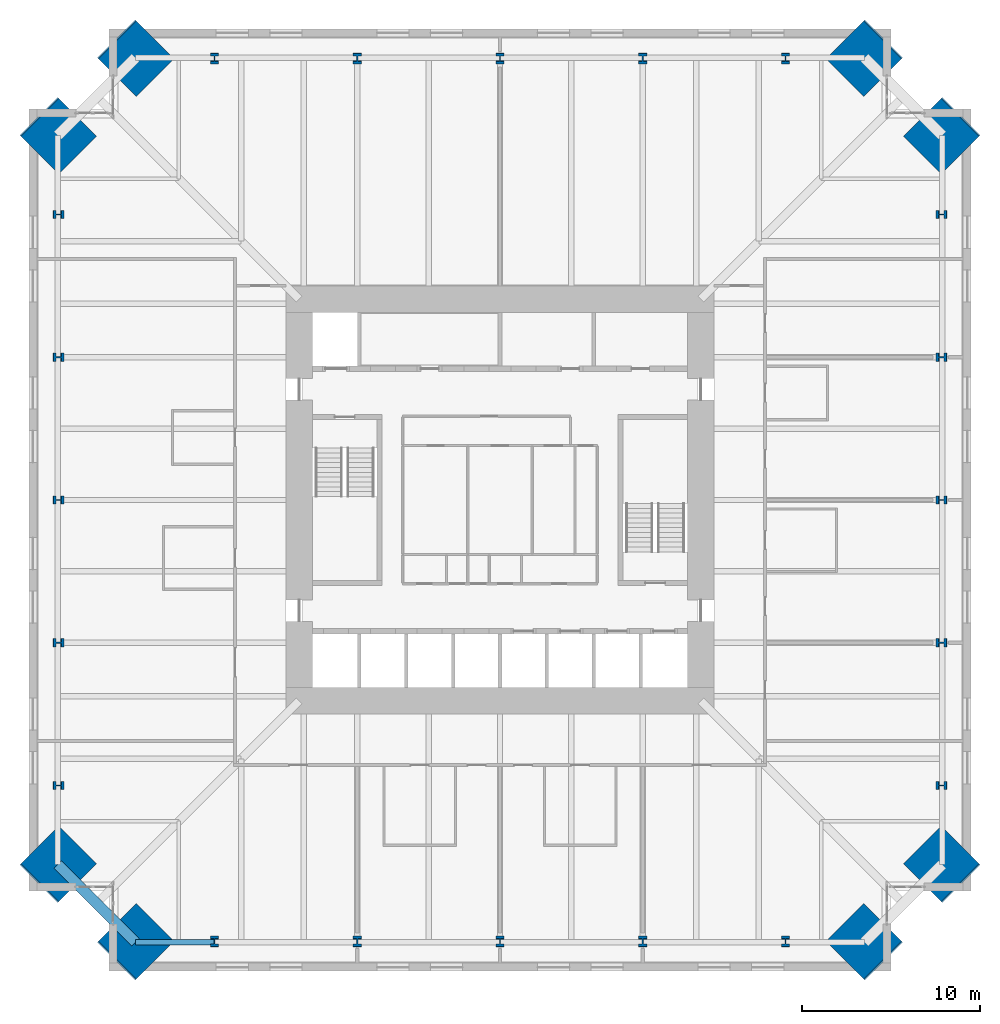
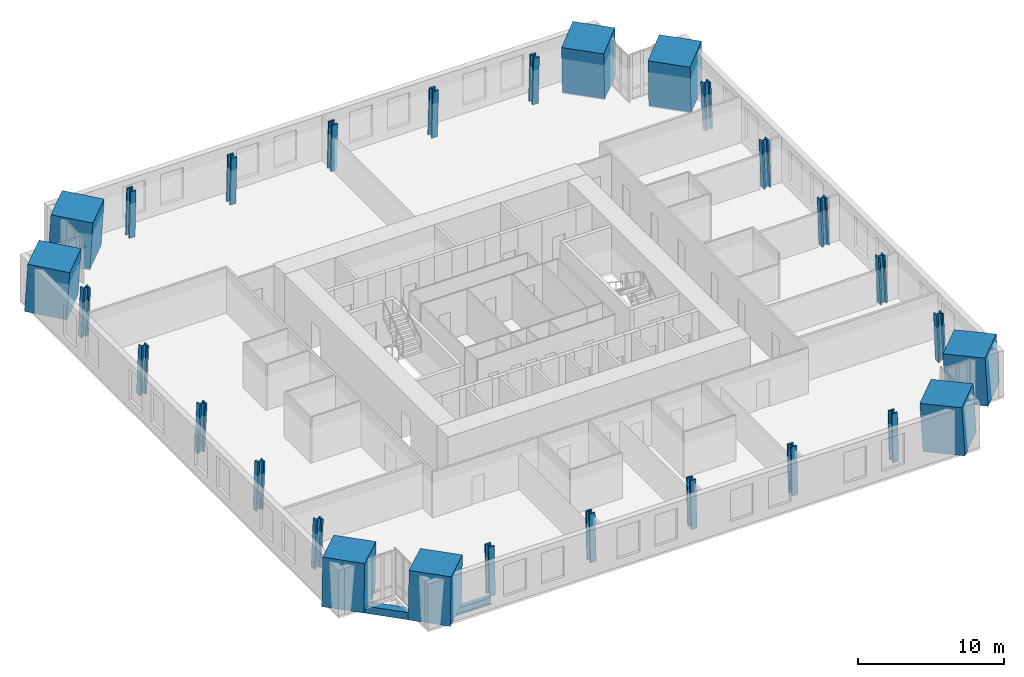
# One storey, part 1 of 18: 28 columns, 2 beams.
"""IFC4 building model written with IfcOpenShell, lengths in metres."""

from ifc_helpers import new_model, si_unit, direction, frame, origin, origin_2d, place, context, subcontext, project, spatial, rectangle, hollow_rectangle, i_section, extrude, material, material_profile, profile_set, type_object, element, save


model = new_model("IFC4")

# Units and contexts
model_context = context("Model", 3, precision=1e-05, world=origin(), true_north=direction((0.0, 1.0)))
body_context = subcontext(model_context, "Body", "Model", "MODEL_VIEW")
ifc_project = project(units=[si_unit("LENGTHUNIT", "METRE"), si_unit("AREAUNIT", "SQUARE_METRE"), si_unit("VOLUMEUNIT", "CUBIC_METRE"), si_unit("PLANEANGLEUNIT", "RADIAN"), si_unit("MASSUNIT", "GRAM", prefix="KILO")], contexts=[model_context])

# Site, building, storey
site_placement = place(None, origin())
site = spatial("IfcSite", under=ifc_project, at=site_placement, CompositionType="ELEMENT")
building_placement = place(site_placement, origin())
building = spatial("IfcBuilding", under=site, at=building_placement, Name="Peilmerk Tower", CompositionType="ELEMENT")
storey_placement = place(building_placement, frame((0.0, 0.0, 151.800048828125)))
storey = spatial("IfcBuildingStorey", under=building, at=storey_placement, Name="L31", CompositionType="ELEMENT", Elevation=151.800048828125)

# Columns
ifc_material_1 = material(Name="Concrete C90/105", Category="concrete")
ifc_material_profile_1 = material_profile(ifc_material_1, rectangle(XDim=3.0, YDim=3.0, at=origin_2d()), Name="RC 3000x3000")
ifc_profile_set_1 = profile_set([ifc_material_profile_1], Name="Concrete C90/105")
column_type_1 = type_object("IfcColumnType", Name="MC2 3000x3000 encased mega column", PredefinedType="COLUMN", material=ifc_profile_set_1)
for number, where, z_axis, x_axis, name in (
    (1, (20.42578125, 24.77587890625, 0.0), (-0.040278731567, -0.040278731567, 0.998376305592), (0.707106781187, -0.707106781187, 0.0), "Mega column MC2 NE_N L31"),
    (2, (24.77587890625, 20.42578125, 0.0), (-0.040278731567, -0.040278731567, 0.998376305592), (0.707106781187, -0.707106781187, 0.0), "Mega column MC2 NE_E L31"),
    (3, (24.77587890625, -20.42578125, 0.0), (-0.040278731567, 0.040278731567, 0.998376305592), (-0.707106781187, -0.707106781187, 0.0), "Mega column MC2 SE_E L31"),
    (4, (20.42578125, -24.77587890625, 0.0), (-0.040278731567, 0.040278731567, 0.998376305592), (-0.707106781187, -0.707106781187, 0.0), "Mega column MC2 SE_S L31"),
    (5, (-20.42578125, -24.77587890625, 0.0), (0.040278731567, 0.040278731567, 0.998376305592), (-0.707106781187, 0.707106781187, 0.0), "Mega column MC2 SW_S L31"),
    (6, (-24.77587890625, -20.42578125, 0.0), (0.040278731567, 0.040278731567, 0.998376305592), (-0.707106781187, 0.707106781187, 0.0), "Mega column MC2 SW_W L31"),
    (7, (-24.77587890625, 20.42578125, 0.0), (0.040278731567, -0.040278731567, 0.998376305592), (0.707106781187, 0.707106781187, 0.0), "Mega column MC2 NW_W L31"),
    (8, (-20.42578125, 24.77587890625, 0.0), (0.040278731567, -0.040278731567, 0.998376305592), (0.707106781187, 0.707106781187, 0.0), "Mega column MC2 NW_N L31"),
):
    element("IfcColumn", number, at=place(storey_placement, frame(where, z_axis=z_axis, x_axis=x_axis)), inside=storey, type_object=column_type_1, Name=name, PredefinedType="COLUMN", context=body_context, shape_type="SweptSolid", body=[
        extrude(rectangle(XDim=3.0, YDim=3.0, at=origin_2d()), origin(), (0.0, 0.0, 1.0), 4.006591796875),
    ])
ifc_material_2 = material(Name="Steel S460", Category="steel")
ifc_material_profile_2 = material_profile(ifc_material_2, i_section(OverallWidth=0.4541015625, OverallDepth=0.569091796875, WebThickness=0.077880859375, FlangeThickness=0.125, at=origin_2d()), Name="HD 400x1086")
ifc_profile_set_2 = profile_set([ifc_material_profile_2], Name="Steel S460")
column_type_2 = type_object("IfcColumnType", Name="SC6 HD 400x1086 interior column", PredefinedType="COLUMN", material=ifc_profile_set_2)
for number, where, z_axis, x_axis, name in (
    (9, (0.0, 24.77587890625, 0.0), (0.0, -0.040311445006, 0.999187163349), (1.0, 0.0, 0.0), "Perimeter column N+0 L31"),
    (10, (8.0, 24.77587890625, 0.0), (0.0, -0.040311445006, 0.999187163349), (1.0, 0.0, 0.0), "Perimeter column N-8 L31"),
    (11, (-8.0, 24.77587890625, 0.0), (0.0, -0.040311445006, 0.999187163349), (1.0, 0.0, 0.0), "Perimeter column N+8 L31"),
    (12, (16.0, 24.77587890625, 0.0), (0.0, -0.040311445006, 0.999187163349), (1.0, 0.0, 0.0), "Perimeter column N-16 L31"),
    (13, (-16.0, 24.77587890625, 0.0), (0.0, -0.040311445006, 0.999187163349), (1.0, 0.0, 0.0), "Perimeter column N+16 L31"),
    (14, (24.77587890625, 0.0, 0.0), (-0.040311445006, 0.0, 0.999187163349), (0.0, -1.0, 0.0), "Perimeter column E+0 L31"),
    (15, (24.77587890625, -8.0, 0.0), (-0.040311445006, 0.0, 0.999187163349), (0.0, -1.0, 0.0), "Perimeter column E-8 L31"),
    (16, (24.77587890625, 8.0, 0.0), (-0.040311445006, 0.0, 0.999187163349), (0.0, -1.0, 0.0), "Perimeter column E+8 L31"),
    (17, (24.77587890625, -16.0, 0.0), (-0.040311445006, 0.0, 0.999187163349), (0.0, -1.0, 0.0), "Perimeter column E-16 L31"),
    (18, (24.77587890625, 16.0, 0.0), (-0.040311445006, 0.0, 0.999187163349), (0.0, -1.0, 0.0), "Perimeter column E+16 L31"),
    (19, (0.0, -24.77587890625, 0.0), (0.0, 0.040311445006, 0.999187163349), (-1.0, 0.0, 0.0), "Perimeter column S+0 L31"),
    (20, (-8.0, -24.77587890625, 0.0), (0.0, 0.040311445006, 0.999187163349), (-1.0, 0.0, 0.0), "Perimeter column S-8 L31"),
    (21, (8.0, -24.77587890625, 0.0), (0.0, 0.040311445006, 0.999187163349), (-1.0, 0.0, 0.0), "Perimeter column S+8 L31"),
    (22, (-16.0, -24.77587890625, 0.0), (0.0, 0.040311445006, 0.999187163349), (-1.0, 0.0, 0.0), "Perimeter column S-16 L31"),
    (23, (16.0, -24.77587890625, 0.0), (0.0, 0.040311445006, 0.999187163349), (-1.0, 0.0, 0.0), "Perimeter column S+16 L31"),
    (24, (-24.77587890625, 0.0, 0.0), (0.040311445006, 0.0, 0.999187163349), (0.0, 1.0, 0.0), "Perimeter column W+0 L31"),
    (25, (-24.77587890625, 8.0, 0.0), (0.040311445006, 0.0, 0.999187163349), (0.0, 1.0, 0.0), "Perimeter column W-8 L31"),
    (26, (-24.77587890625, -8.0, 0.0), (0.040311445006, 0.0, 0.999187163349), (0.0, 1.0, 0.0), "Perimeter column W+8 L31"),
    (27, (-24.77587890625, 16.0, 0.0), (0.040311445006, 0.0, 0.999187163349), (0.0, 1.0, 0.0), "Perimeter column W-16 L31"),
    (28, (-24.77587890625, -16.0, 0.0), (0.040311445006, 0.0, 0.999187163349), (0.0, 1.0, 0.0), "Perimeter column W+16 L31"),
):
    element("IfcColumn", number, at=place(storey_placement, frame(where, z_axis=z_axis, x_axis=x_axis)), inside=storey, type_object=column_type_2, Name=name, PredefinedType="COLUMN", context=body_context, shape_type="SweptSolid", body=[
        extrude(i_section(OverallWidth=0.4541015625, OverallDepth=0.569091796875, WebThickness=0.077880859375, FlangeThickness=0.125, at=origin_2d()), origin(), (0.0, 0.0, 1.0), 4.003173828125),
    ])

# Beams
ifc_material_profile_3 = material_profile(ifc_material_2, hollow_rectangle(XDim=0.60009765625, YDim=0.60009765625, WallThickness=0.06005859375, at=origin_2d()), Name="BOX 600x600x60")
ifc_profile_set_3 = profile_set([ifc_material_profile_3], Name="Steel S460")
beam_type_1 = type_object("IfcBeamType", Name="B20 BOX 600x600x60 notch beam", PredefinedType="SPANDREL", material=ifc_profile_set_3)
beam_1_placement = place(storey_placement, frame((-20.42578125, -24.77587890625, -0.469970703125), z_axis=(-0.707106781187, 0.707106781187, 0.0), x_axis=(-0.707106781187, -0.707106781187, 0.0)))
element("IfcBeam", 29, at=beam_1_placement, inside=storey, type_object=beam_type_1, Name="Notch beam L31", PredefinedType="SPANDREL", context=body_context, shape_type="SweptSolid", body=[
    extrude(hollow_rectangle(XDim=0.60009765625, YDim=0.60009765625, WallThickness=0.06005859375, at=origin_2d()), origin(), (0.0, 0.0, 1.0), 6.15185546875),
])
ifc_material_3 = material(Name="Steel S355", Category="steel")
ifc_material_profile_4 = material_profile(ifc_material_3, i_section(OverallWidth=0.304931640625, OverallDepth=0.6201171875, WebThickness=0.02099609375, FlangeThickness=0.0400390625, at=origin_2d()), Name="HEM 600")
ifc_profile_set_4 = profile_set([ifc_material_profile_4], Name="Steel S355")
beam_type_2 = type_object("IfcBeamType", Name="B31 HEM 600 edge beam", PredefinedType="SPANDREL", material=ifc_profile_set_4)
beam_2_placement = place(storey_placement, frame((-20.42578125, -24.77587890625, -0.47998046875), z_axis=(1.0, 0.0, 0.0), x_axis=(0.0, 1.0, 0.0)))
element("IfcBeam", 30, at=beam_2_placement, inside=storey, type_object=beam_type_2, Name="Edge beam L31", PredefinedType="SPANDREL", context=body_context, shape_type="SweptSolid", body=[
    extrude(i_section(OverallWidth=0.304931640625, OverallDepth=0.6201171875, WebThickness=0.02099609375, FlangeThickness=0.0400390625, at=origin_2d()), origin(), (0.0, 0.0, 1.0), 4.42578125),
])

save(model, "model.ifc")
